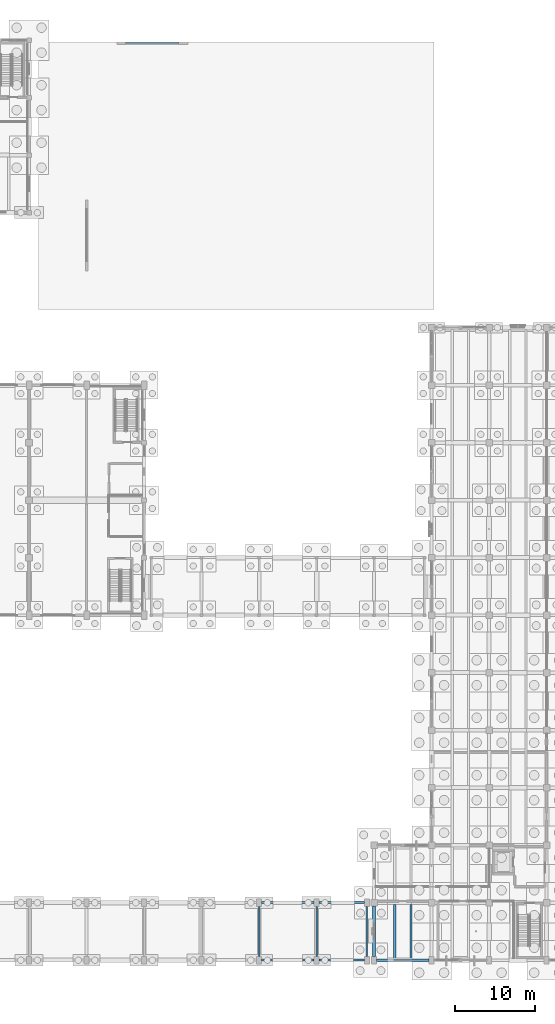
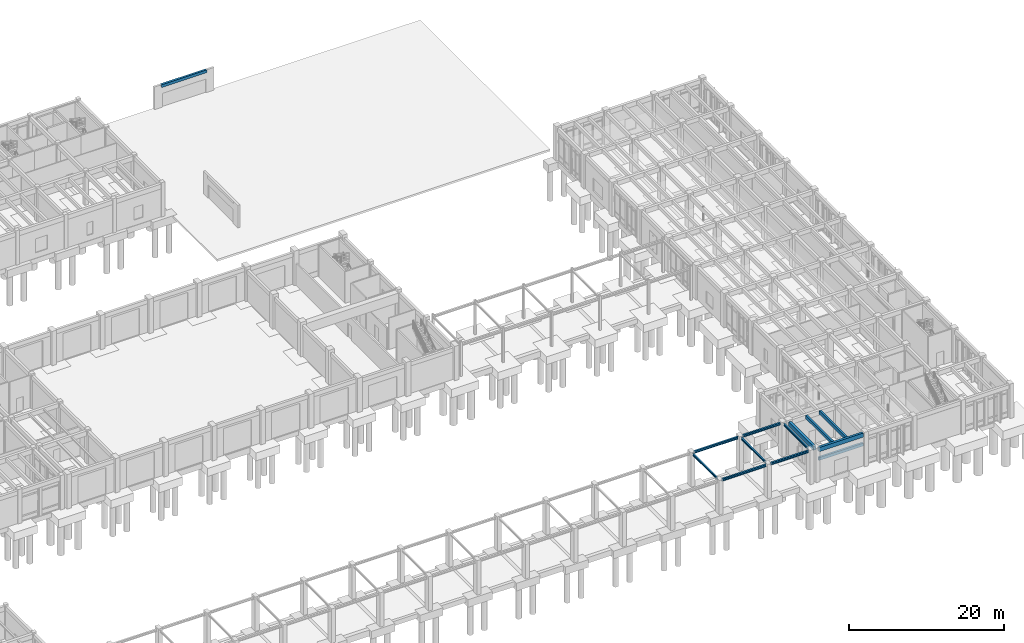
# One storey, part 34 of 93: 13 beams.
"""IFC4 building model written with IfcOpenShell, lengths in metres."""

import ifcopenshell
import ifcopenshell.guid

model = None  # the IFC model being written
_history = None  # IfcOwnerHistory: only IFC2X3 demands one
_inside = {}  # id of a spatial element -> (the spatial element, [elements in it])
_under = {}  # id of a project, library or spatial element -> (it, [spatial elements below it])
_declared = {}  # id of a project -> (the project, [libraries it declares])
_typed = {}  # id of a type object -> (the type object, [elements of that type])
_made_of = {}  # id of a material, layer set ... -> (it, [elements and type objects made of it])


def new_model(schema):
    """Start an empty IFC model of exactly this schema.

    Asked for "IFC4X3", IfcOpenShell would pick the latest addendum, in which some entities
    have other attributes; the version numbers below select the first issue.
    IFC2X3 requires an IfcOwnerHistory on every rooted entity: one is made here for all.
    """
    global model, _history
    if schema == "IFC4X3":
        model = ifcopenshell.file(schema_version=(4, 3, 0, 0))
    else:
        model = ifcopenshell.file(schema=schema)
    _inside.clear()
    _under.clear()
    _declared.clear()
    _typed.clear()
    _made_of.clear()
    _history = None
    if model.schema == "IFC2X3":
        org = make("IfcOrganization", Name="unknown")
        user = make(
            "IfcPersonAndOrganization",
            ThePerson=make("IfcPerson", FamilyName="unknown"),
            TheOrganization=org,
        )
        app = make(
            "IfcApplication",
            ApplicationDeveloper=org,
            Version="unknown",
            ApplicationFullName="unknown",
            ApplicationIdentifier="unknown",
        )
        _history = make(
            "IfcOwnerHistory",
            OwningUser=user,
            OwningApplication=app,
            ChangeAction="ADDED",
            CreationDate=0,
        )
    return model


def make(cls, **values):
    """One entity of the class cls with the attributes given. An attribute that is None is left unset."""
    return model.create_entity(
        cls, **{name: value for name, value in values.items() if value is not None}
    )


def rooted(cls, **values):
    """An entity with a GlobalId (a new one), such as an element, a storey or a relation."""
    return make(cls, GlobalId=ifcopenshell.guid.new(), OwnerHistory=_history, **values)


def si_unit(unit_type, name, prefix=None):
    """IfcSIUnit, for example si_unit("LENGTHUNIT", "METRE", prefix="MILLI")."""
    return make("IfcSIUnit", UnitType=unit_type, Prefix=prefix, Name=name)


def assignment(units):
    """IfcUnitAssignment: the units of a project."""
    return None if units is None else make("IfcUnitAssignment", Units=units)


def point(xyz):
    """IfcCartesianPoint."""
    return None if xyz is None else make("IfcCartesianPoint", Coordinates=xyz)


def direction(xyz):
    """IfcDirection."""
    return None if xyz is None else make("IfcDirection", DirectionRatios=xyz)


def frame(location, z_axis=None, x_axis=None):
    """IfcAxis2Placement3D, a coordinate frame: its origin and axes. An axis left out is left unset."""
    return make(
        "IfcAxis2Placement3D",
        Location=point(location),
        Axis=direction(z_axis),
        RefDirection=direction(x_axis),
    )


def frame_2d(location, x_axis=None):
    """IfcAxis2Placement2D, a coordinate frame in the plane: its origin and x axis."""
    return make(
        "IfcAxis2Placement2D", Location=point(location), RefDirection=direction(x_axis)
    )


def origin():
    """The frame at (0, 0, 0) with its axes left unset."""
    return frame((0.0, 0.0, 0.0))


def origin_2d():
    """The frame at (0, 0) in the plane with its x axis left unset."""
    return frame_2d((0.0, 0.0))


def place(relative_to, where):
    """IfcLocalPlacement: puts the frame where relative to a parent placement (None: the world)."""
    return make(
        "IfcLocalPlacement", PlacementRelTo=relative_to, RelativePlacement=where
    )


def context(
    kind, dimensions, precision=None, world=None, true_north=None, identifier=None
):
    """IfcGeometricRepresentationContext, for example the 3D "Model" context."""
    return make(
        "IfcGeometricRepresentationContext",
        ContextIdentifier=identifier,
        ContextType=kind,
        CoordinateSpaceDimension=dimensions,
        Precision=precision,
        WorldCoordinateSystem=world,
        TrueNorth=true_north,
    )


def subcontext(parent, identifier, kind, view, scale=None):
    """IfcGeometricRepresentationSubContext, for example "Body" below "Model"."""
    return make(
        "IfcGeometricRepresentationSubContext",
        ContextIdentifier=identifier,
        ContextType=kind,
        ParentContext=parent,
        TargetScale=scale,
        TargetView=view,
    )


def project(units=None, contexts=None):
    """IfcProject with its units and contexts."""
    return rooted(
        "IfcProject",
        Name="project",
        RepresentationContexts=contexts,
        UnitsInContext=assignment(units),
    )


def spatial(cls, under=None, at=None, **own):
    """A site, building, storey or space (cls), placed at a placement, below another one or the project."""
    s = rooted(cls, ObjectPlacement=at, **own)
    if under is not None:
        _under.setdefault(under.id(), (under, []))[1].append(s)
    return s


def profile(cls, at=None, kind="AREA", **sizes):
    """A parametric profile (cls). Its sizes go by their IFC names, for example OverallWidth=200.0."""
    return make(cls, ProfileType=kind, Position=at, **sizes)


def rectangle(**sizes):
    """IfcRectangleProfileDef."""
    return profile("IfcRectangleProfileDef", **sizes)


def i_section(**sizes):
    """IfcIShapeProfileDef."""
    return profile("IfcIShapeProfileDef", **sizes)


def extrude(swept, where, along, depth):
    """IfcExtrudedAreaSolid: the profile swept, set in the frame where, extruded along a direction by depth."""
    return make(
        "IfcExtrudedAreaSolid",
        SweptArea=swept,
        Position=where,
        ExtrudedDirection=direction(along),
        Depth=depth,
    )


def shape(context_of_items, identifier, shape_type, items):
    """IfcShapeRepresentation: the items that make up one representation, for example the "Body"."""
    return make(
        "IfcShapeRepresentation",
        ContextOfItems=context_of_items,
        RepresentationIdentifier=identifier,
        RepresentationType=shape_type,
        Items=items,
    )


def material(Name=None, Category=None):
    """IfcMaterial."""
    return make("IfcMaterial", Name=Name, Category=Category)


def material_profile(
    of_material, cross_section, Name=None, Category=None, Priority=None
):
    """IfcMaterialProfile: a cross section and its material."""
    return make(
        "IfcMaterialProfile",
        Name=Name,
        Material=of_material,
        Profile=cross_section,
        Priority=Priority,
        Category=Category,
    )


def profile_set(profiles, Name=None, composite=None):
    """IfcMaterialProfileSet."""
    return make(
        "IfcMaterialProfileSet",
        Name=Name,
        MaterialProfiles=profiles,
        CompositeProfile=composite,
    )


def made_of(thing, what):
    """Note that an element or type object is made of a material, layer set ...; save() writes the relation."""
    if what is not None:
        _made_of.setdefault(what.id(), (what, []))[1].append(thing)
    return thing


def type_object(cls, material=None, **own):
    """A type object (cls), such as IfcWallType, which elements share."""
    return made_of(rooted(cls, **own), material)


def element(
    cls,
    number,
    at=None,
    inside=None,
    cuts=None,
    type_object=None,
    material=None,
    context=None,
    identifier="Body",
    shape_type=None,
    held_by="IfcProductDefinitionShape",
    body=None,
    shapes=None,
    **own,
):
    """One element of the class cls, such as IfcWall. Its Tag is "e" and its number.

    at: its placement. inside: the storey or other place that contains it. cuts: it is an
    opening in that element (IfcRelVoidsElement). A single representation is given by context,
    identifier, shape_type and body (its items); several are given by shapes. held_by: the class
    of the entity that holds the representations. save() writes the other relations.
    """
    e = rooted(cls, Tag="e%d" % number, ObjectPlacement=at, **own)
    if body is not None:
        shapes = [shape(context, identifier, shape_type, body)]
    if shapes is not None:
        e.Representation = make(held_by, Representations=shapes)
    if inside is not None:
        _inside.setdefault(inside.id(), (inside, []))[1].append(e)
    if cuts is not None:
        rooted(
            "IfcRelVoidsElement", RelatingBuildingElement=cuts, RelatedOpeningElement=e
        )
    if type_object is not None:
        _typed.setdefault(type_object.id(), (type_object, []))[1].append(e)
    return made_of(e, material)


def aggregate(whole, parts):
    """IfcRelAggregates: a whole, such as a stair, and the parts it consists of."""
    return rooted("IfcRelAggregates", RelatingObject=whole, RelatedObjects=parts)


def save(model, path):
    """Write the relations noted so far, then the file.

    IfcRelAggregates (storeys below a building ...), IfcRelContainedInSpatialStructure (elements
    in a storey), IfcRelDefinesByType, IfcRelAssociatesMaterial and IfcRelDeclares: one each for
    every whole, place, type object, material and project.
    """
    for whole, parts in _under.values():
        aggregate(whole, parts)
    for where, things in _inside.values():
        rooted(
            "IfcRelContainedInSpatialStructure",
            RelatedElements=things,
            RelatingStructure=where,
        )
    for kind, things in _typed.values():
        rooted("IfcRelDefinesByType", RelatedObjects=things, RelatingType=kind)
    for what, things in _made_of.values():
        rooted("IfcRelAssociatesMaterial", RelatedObjects=things, RelatingMaterial=what)
    for by, libraries in _declared.values():
        rooted("IfcRelDeclares", RelatingContext=by, RelatedDefinitions=libraries)
    model.write(path)


model = new_model("IFC4")

# Units and contexts
model_context = context("Model", 3, precision=1e-05, world=origin(), true_north=direction((0.0, 1.0)))
body_context = subcontext(model_context, "Body", "Model", "MODEL_VIEW")
ifc_project = project(units=[si_unit("LENGTHUNIT", "METRE"), si_unit("AREAUNIT", "SQUARE_METRE"), si_unit("VOLUMEUNIT", "CUBIC_METRE"), si_unit("PLANEANGLEUNIT", "RADIAN"), si_unit("MASSUNIT", "GRAM", prefix="KILO")], contexts=[model_context])

# Site, building, storey
site_placement = place(None, origin())
site = spatial("IfcSite", under=ifc_project, at=site_placement, CompositionType="ELEMENT")
building_placement = place(site_placement, origin())
building = spatial("IfcBuilding", under=site, at=building_placement, Name="Koriwan Promenade Central Fire Station", CompositionType="ELEMENT")
storey_placement = place(building_placement, origin())
storey = spatial("IfcBuildingStorey", under=building, at=storey_placement, Name="L00", CompositionType="ELEMENT", Elevation=0.0)

# Beams
ifc_material_1 = material(Name="Concrete C35/45", Category="concrete")
ifc_material_profile_1 = material_profile(ifc_material_1, rectangle(XDim=0.300048828125, YDim=0.5, at=origin_2d()), Name="RC-BM-300x500")
ifc_profile_set_1 = profile_set([ifc_material_profile_1], Name="Concrete C35/45")
beam_type_1 = type_object("IfcBeamType", Name="Beam_RC-BM-300x500", PredefinedType="JOIST", material=ifc_profile_set_1)
beam_1_placement = place(storey_placement, frame((146.575927734375, 0.175048828125, 4.89990234375), z_axis=(0.0, 1.0, 0.0), x_axis=(-1.0, 0.0, 0.0)))
element("IfcBeam", 1, at=beam_1_placement, inside=storey, type_object=beam_type_1, Name="V5 L00 secondary joist 563", PredefinedType="JOIST", context=body_context, shape_type="SweptSolid", body=[
    extrude(rectangle(XDim=0.300048828125, YDim=0.5, at=origin_2d()), origin(), (0.0, 0.0, 1.0), 6.824951171875),
])
ifc_material_profile_2 = material_profile(ifc_material_1, rectangle(XDim=0.300048828125, YDim=0.550048828125, at=origin_2d()), Name="RC-BM-300x550")
ifc_profile_set_2 = profile_set([ifc_material_profile_2], Name="Concrete C35/45")
beam_type_2 = type_object("IfcBeamType", Name="Beam_RC-BM-300x550", PredefinedType="JOIST", material=ifc_profile_set_2)
beam_2_placement = place(storey_placement, frame((148.6240234375, 0.175048828125, 4.875), z_axis=(0.0, 1.0, 0.0), x_axis=(-1.0, 0.0, 0.0)))
element("IfcBeam", 2, at=beam_2_placement, inside=storey, type_object=beam_type_2, Name="V5 L00 secondary joist 564", PredefinedType="JOIST", context=body_context, shape_type="SweptSolid", body=[
    extrude(rectangle(XDim=0.300048828125, YDim=0.550048828125, at=origin_2d()), origin(), (0.0, 0.0, 1.0), 6.824951171875),
])
ifc_material_profile_3 = material_profile(ifc_material_1, rectangle(XDim=0.35009765625, YDim=0.64990234375, at=origin_2d()), Name="RC-BM-350x650")
ifc_profile_set_3 = profile_set([ifc_material_profile_3], Name="Concrete C35/45")
beam_type_3 = type_object("IfcBeamType", Name="Beam_RC-BM-350x650", PredefinedType="BEAM", material=ifc_profile_set_3)
beam_3_placement = place(storey_placement, frame((144.0, 0.449951171875, 4.824951171875), z_axis=(0.0, 1.0, 0.0), x_axis=(-1.0, 0.0, 0.0)))
element("IfcBeam", 3, at=beam_3_placement, inside=storey, type_object=beam_type_3, Name="V5 L00 girder Y-517", PredefinedType="BEAM", context=body_context, shape_type="SweptSolid", body=[
    extrude(rectangle(XDim=0.35009765625, YDim=0.64990234375, at=origin_2d()), origin(), (0.0, 0.0, 1.0), 6.35009765625),
])
ifc_material_profile_4 = material_profile(ifc_material_1, rectangle(XDim=0.300048828125, YDim=0.449951171875, at=origin_2d()), Name="RC-LN-300x450")
ifc_profile_set_4 = profile_set([ifc_material_profile_4], Name="Concrete C35/45")
beam_type_4 = type_object("IfcBeamType", Name="Beam_RC-LN-300x450", PredefinedType="LINTEL", material=ifc_profile_set_4)
beam_4_placement = place(storey_placement, frame((112.89990234375, 114.800048828125, 3.324951171875), z_axis=(1.0, 0.0, 0.0), x_axis=(0.0, 1.0, 0.0)))
element("IfcBeam", 4, at=beam_4_placement, inside=storey, type_object=beam_type_4, Name="Opening lintel LNT_PK_ENTRY", PredefinedType="LINTEL", context=body_context, shape_type="SweptSolid", body=[
    extrude(rectangle(XDim=0.300048828125, YDim=0.449951171875, at=origin_2d()), origin(), (0.0, 0.0, 1.0), 6.7001953125),
])
beam_5_placement = place(storey_placement, frame((144.300048828125, 0.0, 3.324951171875), z_axis=(1.0, 0.0, 0.0), x_axis=(0.0, 1.0, 0.0)))
element("IfcBeam", 5, at=beam_5_placement, inside=storey, type_object=beam_type_4, Name="Opening lintel LNT_V5_FCC1", PredefinedType="LINTEL", context=body_context, shape_type="SweptSolid", body=[
    extrude(rectangle(XDim=0.300048828125, YDim=0.449951171875, at=origin_2d()), origin(), (0.0, 0.0, 1.0), 6.599853515625),
])
ifc_material_profile_5 = material_profile(ifc_material_1, rectangle(XDim=0.35009765625, YDim=0.64990234375, at=origin_2d()), Name="RC-SP-350x650")
ifc_profile_set_5 = profile_set([ifc_material_profile_5], Name="Concrete C35/45")
beam_type_5 = type_object("IfcBeamType", Name="Beam_RC-SP-350x650", PredefinedType="SPANDREL", material=ifc_profile_set_5)
beam_6_placement = place(storey_placement, frame((144.300048828125, 0.0, 4.824951171875), z_axis=(1.0, 0.0, 0.0), x_axis=(0.0, 1.0, 0.0)))
element("IfcBeam", 6, at=beam_6_placement, inside=storey, type_object=beam_type_5, Name="V5 L00 girder X-480", PredefinedType="SPANDREL", context=body_context, shape_type="SweptSolid", body=[
    extrude(rectangle(XDim=0.35009765625, YDim=0.64990234375, at=origin_2d()), origin(), (0.0, 0.0, 1.0), 6.599853515625),
])
ifc_material_2 = material(Name="Steel ASTM A992 Grade 50", Category="steel")
ifc_material_profile_6 = material_profile(ifc_material_2, i_section(OverallWidth=0.202880859375, OverallDepth=0.302978515625, WebThickness=0.007568359375, FlangeThickness=0.01318359375, FilletRadius=0.014892578125, at=origin_2d()), Name="W310x60")
ifc_profile_set_6 = profile_set([ifc_material_profile_6], Name="Steel ASTM A992 Grade 50")
beam_type_6 = type_object("IfcBeamType", Name="SteelBeam_W310x60", PredefinedType="JOIST", material=ifc_profile_set_6)
for number, where, z_axis, x_axis, name in (
    (7, (129.60009765625, 0.449951171875, 5.048095703125), (0.0, 1.0, 0.0), (-1.0, 0.0, 0.0), "COL_SOUTH arcade cross beam 1112"),
    (8, (136.800048828125, 0.449951171875, 5.048095703125), (0.0, 1.0, 0.0), (-1.0, 0.0, 0.0), "COL_SOUTH arcade cross beam 1113"),
    (9, (143.10009765625, 0.449951171875, 5.048095703125), (0.0, 1.0, 0.0), (-1.0, 0.0, 0.0), "COL_SOUTH arcade cross beam 1114"),
):
    element("IfcBeam", number, at=place(storey_placement, frame(where, z_axis=z_axis, x_axis=x_axis)), inside=storey, type_object=beam_type_6, Name=name, PredefinedType="JOIST", context=body_context, shape_type="SweptSolid", body=[
        extrude(i_section(OverallWidth=0.202880859375, OverallDepth=0.302978515625, WebThickness=0.007568359375, FlangeThickness=0.01318359375, FilletRadius=0.014892578125, at=origin_2d()), origin(), (0.0, 0.0, 1.0), 6.300048828125),
    ])
ifc_material_profile_7 = material_profile(ifc_material_2, i_section(OverallWidth=0.25390625, OverallDepth=0.35302734375, WebThickness=0.009521484375, FlangeThickness=0.016357421875, FilletRadius=0.014892578125, at=origin_2d()), Name="W360x91")
ifc_profile_set_7 = profile_set([ifc_material_profile_7], Name="Steel ASTM A992 Grade 50")
beam_type_7 = type_object("IfcBeamType", Name="SteelBeam_W360x91", PredefinedType="BEAM", material=ifc_profile_set_7)
beam_7_placement = place(storey_placement, frame((129.89990234375, 0.0, 5.02294921875), z_axis=(1.0, 0.0, 0.0), x_axis=(0.0, 1.0, 0.0)))
element("IfcBeam", 10, at=beam_7_placement, inside=storey, type_object=beam_type_7, Name="COL_SOUTH arcade beam 1082", PredefinedType="BEAM", context=body_context, shape_type="SweptSolid", body=[
    extrude(i_section(OverallWidth=0.25390625, OverallDepth=0.35302734375, WebThickness=0.009521484375, FlangeThickness=0.016357421875, FilletRadius=0.014892578125, at=origin_2d()), origin(), (0.0, 0.0, 1.0), 6.60009765625),
])
beam_8_placement = place(storey_placement, frame((137.10009765625, 0.0, 5.02294921875), z_axis=(1.0, 0.0, 0.0), x_axis=(0.0, 1.0, 0.0)))
element("IfcBeam", 11, at=beam_8_placement, inside=storey, type_object=beam_type_7, Name="COL_SOUTH arcade beam 1083", PredefinedType="BEAM", context=body_context, shape_type="SweptSolid", body=[
    extrude(i_section(OverallWidth=0.25390625, OverallDepth=0.35302734375, WebThickness=0.009521484375, FlangeThickness=0.016357421875, FilletRadius=0.014892578125, at=origin_2d()), origin(), (0.0, 0.0, 1.0), 5.699951171875),
])
beam_9_placement = place(storey_placement, frame((129.89990234375, 7.199951171875, 5.02294921875), z_axis=(1.0, 0.0, 0.0), x_axis=(0.0, 1.0, 0.0)))
element("IfcBeam", 12, at=beam_9_placement, inside=storey, type_object=beam_type_7, Name="COL_SOUTH arcade beam 1097", PredefinedType="BEAM", context=body_context, shape_type="SweptSolid", body=[
    extrude(i_section(OverallWidth=0.25390625, OverallDepth=0.35302734375, WebThickness=0.009521484375, FlangeThickness=0.016357421875, FilletRadius=0.014892578125, at=origin_2d()), origin(), (0.0, 0.0, 1.0), 6.60009765625),
])
beam_10_placement = place(storey_placement, frame((137.10009765625, 7.199951171875, 5.02294921875), z_axis=(1.0, 0.0, 0.0), x_axis=(0.0, 1.0, 0.0)))
element("IfcBeam", 13, at=beam_10_placement, inside=storey, type_object=beam_type_7, Name="COL_SOUTH arcade beam 1098", PredefinedType="BEAM", context=body_context, shape_type="SweptSolid", body=[
    extrude(i_section(OverallWidth=0.25390625, OverallDepth=0.35302734375, WebThickness=0.009521484375, FlangeThickness=0.016357421875, FilletRadius=0.014892578125, at=origin_2d()), origin(), (0.0, 0.0, 1.0), 5.699951171875),
])

save(model, "model.ifc")
